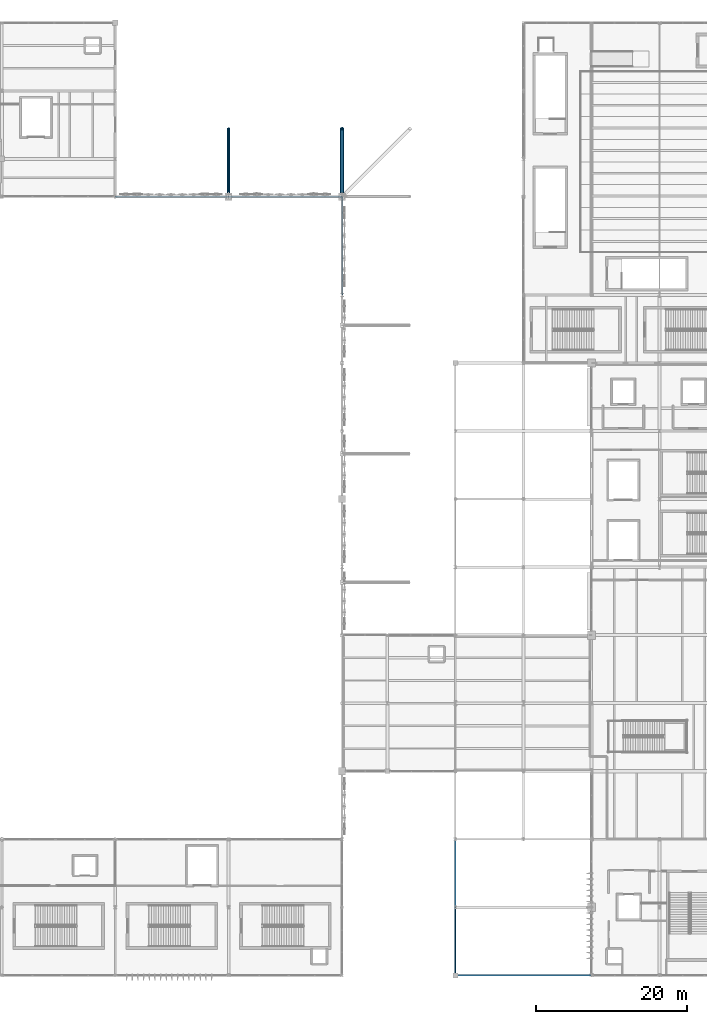
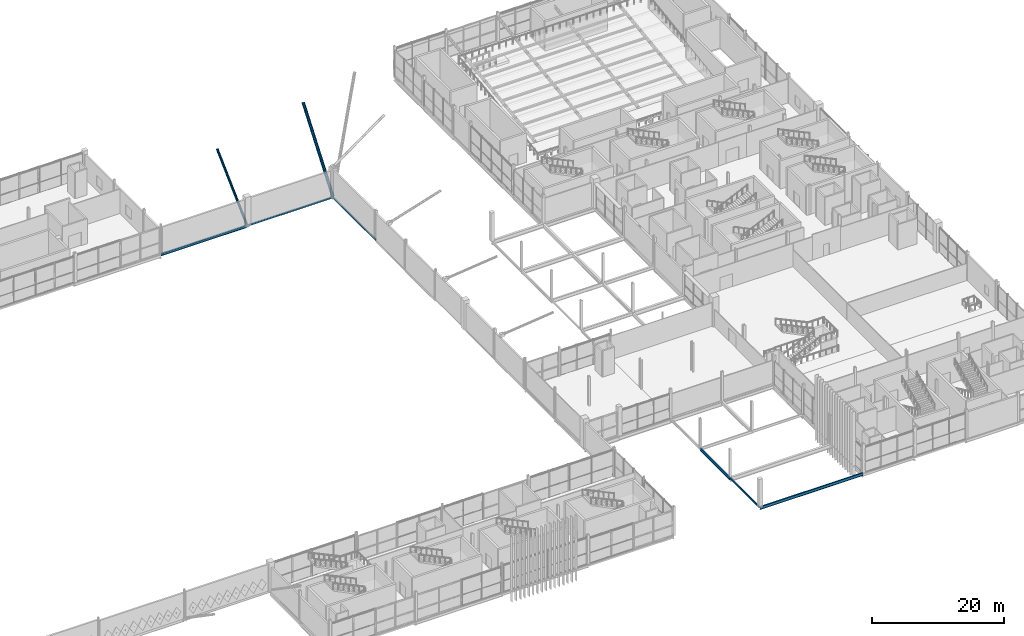
# One storey, part 40 of 119: 6 beams, 2 members.
"""IFC4 building model written with IfcOpenShell, lengths in metres."""

from ifc_helpers import new_model, si_unit, direction, frame, origin, origin_2d, place, context, subcontext, project, spatial, hollow_rectangle, hollow_circle, i_section, extrude, material, material_profile, profile_set, type_object, element, save


model = new_model("IFC4")

# Units and contexts
model_context = context("Model", 3, precision=1e-05, world=origin(), true_north=direction((0.0, 1.0)))
body_context = subcontext(model_context, "Body", "Model", "MODEL_VIEW")
ifc_project = project(units=[si_unit("LENGTHUNIT", "METRE"), si_unit("AREAUNIT", "SQUARE_METRE"), si_unit("VOLUMEUNIT", "CUBIC_METRE"), si_unit("PLANEANGLEUNIT", "RADIAN"), si_unit("MASSUNIT", "GRAM", prefix="KILO")], contexts=[model_context])

# Site, building, storey
site_placement = place(None, origin())
site = spatial("IfcSite", under=ifc_project, at=site_placement, CompositionType="ELEMENT")
building_placement = place(site_placement, origin())
building = spatial("IfcBuilding", under=site, at=building_placement, Name="Qamarlyn Nura Convention Centre", CompositionType="ELEMENT")
storey_placement = place(building_placement, frame((0.0, 0.0, 5.39990234375)))
storey = spatial("IfcBuildingStorey", under=building, at=storey_placement, Name="L01", CompositionType="ELEMENT", Elevation=5.39990234375)

# Beams
ifc_material_1 = material(Name="Steel ASTM A992", Category="steel")
ifc_material_profile_1 = material_profile(ifc_material_1, i_section(OverallWidth=0.193115234375, OverallDepth=0.466064453125, WebThickness=0.011474609375, FlangeThickness=0.01904296875, FilletRadius=0.012939453125, at=origin_2d()), Name="W460X97")
ifc_profile_set_1 = profile_set([ifc_material_profile_1], Name="Steel ASTM A992")
beam_type_1 = type_object("IfcBeamType", Name="BM-SPAN-460", PredefinedType="SPANDREL", material=ifc_profile_set_1)
beam_1_placement = place(storey_placement, frame((90.0, 103.0, -0.23291015625), z_axis=(1.0, 0.0, 0.0), x_axis=(0.0, 1.0, 0.0)))
element("IfcBeam", 1, at=beam_1_placement, inside=storey, type_object=beam_type_1, Name="L01 girder M 7-8", PredefinedType="SPANDREL", context=body_context, shape_type="SweptSolid", body=[
    extrude(i_section(OverallWidth=0.193115234375, OverallDepth=0.466064453125, WebThickness=0.011474609375, FlangeThickness=0.01904296875, FilletRadius=0.012939453125, at=origin_2d()), origin(), (0.0, 0.0, 1.0), 15.0),
])
ifc_material_profile_2 = material_profile(ifc_material_1, i_section(OverallWidth=0.2109375, OverallDepth=0.5390625, WebThickness=0.01171875, FlangeThickness=0.018798828125, FilletRadius=0.013916015625, at=origin_2d()), Name="W530X109")
ifc_profile_set_2 = profile_set([ifc_material_profile_2], Name="Steel ASTM A992")
beam_type_2 = type_object("IfcBeamType", Name="BM-SPAN-530", PredefinedType="SPANDREL", material=ifc_profile_set_2)
beam_2_placement = place(storey_placement, frame((135.0, 0.0, -0.269287109375), z_axis=(1.0, 0.0, 0.0), x_axis=(0.0, 1.0, 0.0)))
element("IfcBeam", 2, at=beam_2_placement, inside=storey, type_object=beam_type_2, Name="L01 girder A 11-13", PredefinedType="SPANDREL", context=body_context, shape_type="SweptSolid", body=[
    extrude(i_section(OverallWidth=0.2109375, OverallDepth=0.5390625, WebThickness=0.01171875, FlangeThickness=0.018798828125, FilletRadius=0.013916015625, at=origin_2d()), origin(), (0.0, 0.0, 1.0), 18.0),
])
beam_3_placement = place(storey_placement, frame((135.0, 9.0, -0.269287109375), z_axis=(0.0, 1.0, 0.0), x_axis=(-1.0, 0.0, 0.0)))
element("IfcBeam", 3, at=beam_3_placement, inside=storey, type_object=beam_type_2, Name="L01 girder 11 B-C", PredefinedType="SPANDREL", context=body_context, shape_type="SweptSolid", body=[
    extrude(i_section(OverallWidth=0.2109375, OverallDepth=0.5390625, WebThickness=0.01171875, FlangeThickness=0.018798828125, FilletRadius=0.013916015625, at=origin_2d()), origin(), (0.0, 0.0, 1.0), 9.0),
])
ifc_material_2 = material(Name="Steel ASTM A500 Grade C", Category="steel")
ifc_material_profile_3 = material_profile(ifc_material_2, hollow_rectangle(XDim=0.199951171875, YDim=0.300048828125, WallThickness=0.012451171875, InnerFilletRadius=0.012451171875, OuterFilletRadius=0.02490234375, at=origin_2d()), Name="HSS300X200X12.5")
ifc_profile_set_3 = profile_set([ifc_material_profile_3], Name="Steel ASTM A500 Grade C")
beam_type_3 = type_object("IfcBeamType", Name="BM-SPAN-HSS", PredefinedType="SPANDREL", material=ifc_profile_set_3)
beam_4_placement = place(storey_placement, frame((105.0, 103.0, -0.14990234375), z_axis=(1.0, 0.0, 0.0), x_axis=(0.0, 1.0, 0.0)))
element("IfcBeam", 4, at=beam_4_placement, inside=storey, type_object=beam_type_3, Name="L01 girder M 8-9", PredefinedType="SPANDREL", context=body_context, shape_type="SweptSolid", body=[
    extrude(hollow_rectangle(XDim=0.199951171875, YDim=0.300048828125, WallThickness=0.012451171875, InnerFilletRadius=0.012451171875, OuterFilletRadius=0.02490234375, at=origin_2d()), origin(), (0.0, 0.0, 1.0), 15.0),
])
beam_5_placement = place(storey_placement, frame((120.0, 90.0, -0.14990234375), z_axis=(0.0, 1.0, 0.0), x_axis=(-1.0, 0.0, 0.0)))
element("IfcBeam", 5, at=beam_5_placement, inside=storey, type_object=beam_type_3, Name="L01 girder 9 L-M", PredefinedType="SPANDREL", context=body_context, shape_type="SweptSolid", body=[
    extrude(hollow_rectangle(XDim=0.199951171875, YDim=0.300048828125, WallThickness=0.012451171875, InnerFilletRadius=0.012451171875, OuterFilletRadius=0.02490234375, at=origin_2d()), origin(), (0.0, 0.0, 1.0), 13.0),
])
beam_6_placement = place(storey_placement, frame((135.0, 0.0, -0.14990234375), z_axis=(0.0, 1.0, 0.0), x_axis=(-1.0, 0.0, 0.0)))
element("IfcBeam", 6, at=beam_6_placement, inside=storey, type_object=beam_type_3, Name="L01 girder 11 A-B", PredefinedType="SPANDREL", context=body_context, shape_type="SweptSolid", body=[
    extrude(hollow_rectangle(XDim=0.199951171875, YDim=0.300048828125, WallThickness=0.012451171875, InnerFilletRadius=0.012451171875, OuterFilletRadius=0.02490234375, at=origin_2d()), origin(), (0.0, 0.0, 1.0), 9.0),
])

# Members
ifc_material_3 = material(Name="Pearl-white PVDF steel ASTM A500 Grade C", Category="steel")
ifc_material_profile_4 = material_profile(ifc_material_3, hollow_circle(Radius=0.203125, WallThickness=0.01611328125, at=origin_2d()), Name="CHS406.4X16")
ifc_profile_set_4 = profile_set([ifc_material_profile_4], Name="Pearl-white PVDF steel ASTM A500 Grade C")
member_type_1 = type_object("IfcMemberType", Name="STR-TREE-01", PredefinedType="BRACE", material=ifc_profile_set_4)
member_1_placement = place(storey_placement, frame((105.0, 103.0, 0.0), z_axis=(0.0, 0.724163157325, 0.689628683839), x_axis=(-1.0, 0.0, 0.0)))
element("IfcMember", 7, at=member_1_placement, inside=storey, type_object=member_type_1, Name="Raked tree strut RTS-N-9", PredefinedType="BRACE", context=body_context, shape_type="SweptSolid", body=[
    extrude(hollow_circle(Radius=0.203125, WallThickness=0.01611328125, at=origin_2d()), origin(), (0.0, 0.0, 1.0), 12.42822265625),
])
ifc_material_profile_5 = material_profile(ifc_material_3, hollow_circle(Radius=0.25390625, WallThickness=0.02001953125, at=origin_2d()), Name="CHS508X20")
ifc_profile_set_5 = profile_set([ifc_material_profile_5], Name="Pearl-white PVDF steel ASTM A500 Grade C")
member_type_2 = type_object("IfcMemberType", Name="STR-TREE-02", PredefinedType="BRACE", material=ifc_profile_set_5)
member_2_placement = place(storey_placement, frame((120.0, 103.0, 0.0), z_axis=(0.0, 0.60302653053, 0.797721131397), x_axis=(-1.0, 0.0, 0.0)))
element("IfcMember", 8, at=member_2_placement, inside=storey, type_object=member_type_2, Name="Raked tree strut RTS-N-10", PredefinedType="BRACE", context=body_context, shape_type="SweptSolid", body=[
    extrude(hollow_circle(Radius=0.25390625, WallThickness=0.02001953125, at=origin_2d()), origin(), (0.0, 0.0, 1.0), 14.9248046875),
])

save(model, "model.ifc")
